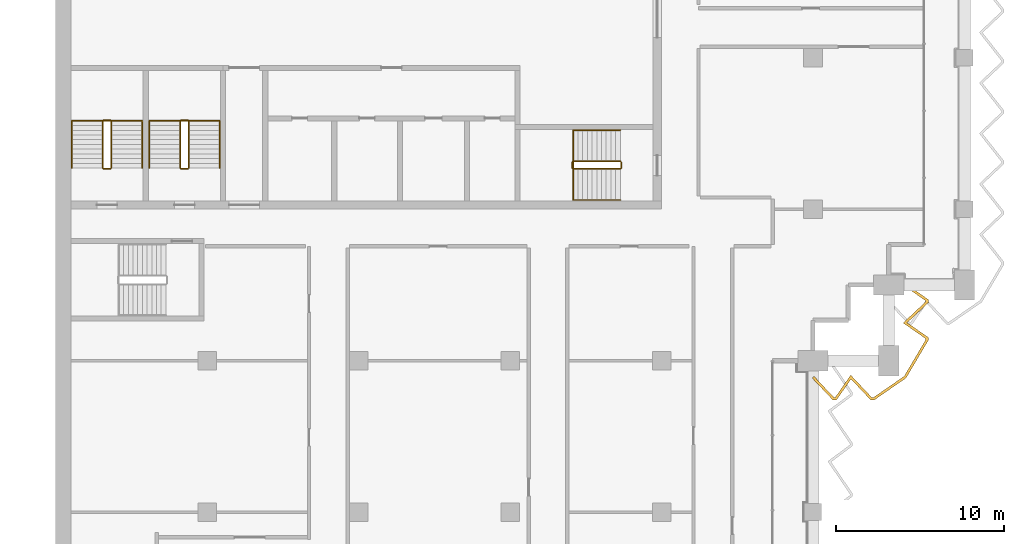
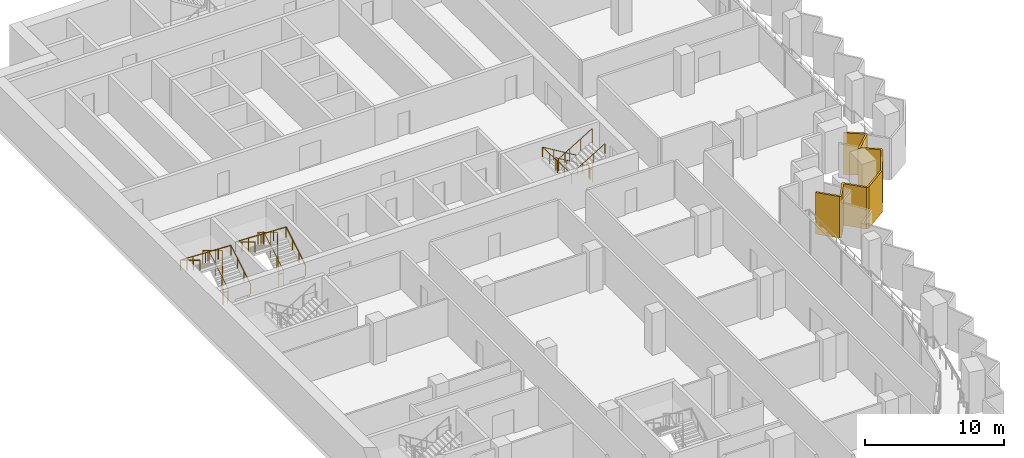
# One storey, part 18 of 19: 6 railings, 1 shading device.
"""IFC4 building model written with IfcOpenShell, lengths in metres."""

from ifc_helpers import new_model, si_unit, direction, frame, origin, origin_2d, place, context, subcontext, project, spatial, polyline, circle, outline, extrude, material, layer, layer_set, type_object, element, save


model = new_model("IFC4")

# Units and contexts
model_context = context("Model", 3, precision=1e-05, world=origin(), true_north=direction((0.0, 1.0)))
body_context = subcontext(model_context, "Body", "Model", "MODEL_VIEW")
ifc_project = project(units=[si_unit("LENGTHUNIT", "METRE"), si_unit("AREAUNIT", "SQUARE_METRE"), si_unit("VOLUMEUNIT", "CUBIC_METRE"), si_unit("PLANEANGLEUNIT", "RADIAN"), si_unit("MASSUNIT", "GRAM", prefix="KILO")], contexts=[model_context])

# Site, building, storey
site_placement = place(None, origin())
site = spatial("IfcSite", under=ifc_project, at=site_placement, CompositionType="ELEMENT")
building_placement = place(site_placement, origin())
building = spatial("IfcBuilding", under=site, at=building_placement, Name="Hunhe Ridgeline Campus", CompositionType="ELEMENT")
storey_placement = place(building_placement, frame((0.0, 0.0, 216.10009765625)))
storey = spatial("IfcBuildingStorey", under=building, at=storey_placement, Name="L55", CompositionType="ELEMENT", Elevation=216.10009765625)

# Shading device
ifc_material_1 = material(Name="Concrete C50", Category="concrete")
ifc_layer = layer(ifc_material_1, 0.14990234375)
ifc_layer_set = layer_set([ifc_layer], Name="Sawtooth concrete fin 150 Concrete C50")
shading_device_type = type_object("IfcShadingDeviceType", Name="Sawtooth concrete fin 150 Concrete C50", PredefinedType="USERDEFINED", material=ifc_layer_set)
shading_device_placement = place(storey_placement, frame((0.0, 0.0, -0.9501953125)))
element("IfcShadingDevice", 1, at=shading_device_placement, inside=storey, type_object=shading_device_type, Name="Concrete fin screen 2", ObjectType="FIN", PredefinedType="USERDEFINED", context=body_context, shape_type="SweptSolid", body=[
    extrude(outline(polyline([(45.054443359375, 53.076416015625), (44.945556640625, 52.9736328125), (46.19384765625, 51.64990234375), (46.38525390625, 51.64990234375), (47.2587890625, 52.90625), (48.44384765625, 51.64990234375), (48.61962890625, 51.64990234375), (50.53125, 52.97265625), (51.85009765625, 55.20556640625), (51.85009765625, 55.38525390625), (50.59375, 56.2587890625), (51.85009765625, 57.44384765625), (51.85009765625, 57.63525390625), (50.517822265625, 58.5615234375), (50.43212890625, 58.4384765625), (51.699951171875, 57.556884765625), (51.699951171875, 57.508544921875), (50.3564453125, 56.2412109375), (51.699951171875, 55.306884765625), (51.699951171875, 55.24658203125), (50.418701171875, 53.077392578125), (48.57275390625, 51.800048828125), (48.508544921875, 51.800048828125), (47.2412109375, 53.1435546875), (46.306884765625, 51.800048828125), (46.258544921875, 51.800048828125), (45.054443359375, 53.076416015625)])), origin(), (0.0, 0.0, 1.0), 3.650146484375),
])

# Railings
ifc_material_2 = material(Name="Stainless steel balustrade", Category="steel")
railing_type_1 = type_object("IfcRailingType", Name="Stair guard 1100 stainless", PredefinedType="GUARDRAIL", material=ifc_material_2)
railing_1_placement = place(storey_placement, frame((33.550048828125, 65.85009765625, 0.16796875)))
element("IfcRailing", 2, at=railing_1_placement, inside=storey, type_object=railing_type_1, Name="L55 stair S2 guard", PredefinedType="GUARDRAIL", context=body_context, shape_type="SweptSolid", body=[
    extrude(circle(Radius=0.02392578125, at=origin_2d()), frame((0.0, 0.0, 1.076171875), z_axis=(-0.857242210791, 0.0, 0.514913383045), x_axis=(0.0, -1.0, 0.0)), (0.0, 0.0, 1.0), 3.266357421875),
    extrude(circle(Radius=0.02392578125, at=origin_2d()), frame((-2.800048828125, 0.0, 2.7578125), z_axis=(-0.707106781187, -0.707106781187, 0.0), x_axis=(0.707106781187, -0.707106781187, 0.0)), (0.0, 0.0, 1.0), 0.07080078125),
    extrude(circle(Radius=0.02392578125, at=origin_2d()), frame((-2.85009765625, -0.050048828125, 2.7578125), z_axis=(0.0, -1.0, 0.0), x_axis=(1.0, 0.0, 0.0)), (0.0, 0.0, 1.0), 0.35009765625),
    extrude(circle(Radius=0.02392578125, at=origin_2d()), frame((-2.85009765625, -0.400146484375, 2.7578125), z_axis=(0.274243871929, -0.274243871929, 0.92172696468), x_axis=(0.707106781187, 0.707106781187, 0.0)), (0.0, 0.0, 1.0), 0.1826171875),
    extrude(circle(Radius=0.02392578125, at=origin_2d()), frame((-2.800048828125, -0.4501953125, 2.92626953125), z_axis=(0.857242210791, 0.0, 0.514913383045), x_axis=(0.0, 1.0, 0.0)), (0.0, 0.0, 1.0), 3.266357421875),
    extrude(circle(Radius=0.02392578125, at=origin_2d()), frame((0.0, -0.4501953125, 4.60791015625), z_axis=(0.013524414389, 0.013524414389, -0.999817073484), x_axis=(-0.707106781187, 0.707106781187, 0.0)), (0.0, 0.0, 1.0), 3.70068359375),
    extrude(circle(Radius=0.02392578125, at=origin_2d()), frame((0.050048828125, -0.400146484375, 0.908203125), z_axis=(0.0, 1.0, 0.0), x_axis=(-1.0, 0.0, 0.0)), (0.0, 0.0, 1.0), 0.35009765625),
    extrude(circle(Radius=0.02099609375, at=origin_2d()), origin(), (0.0, 0.0, 1.0), 1.052001953125),
    extrude(circle(Radius=0.02099609375, at=origin_2d()), frame((-0.933349609375, 0.0, 0.560546875)), (0.0, 0.0, 1.0), 1.052001953125),
    extrude(circle(Radius=0.02099609375, at=origin_2d()), frame((-1.86669921875, 0.0, 1.121337890625)), (0.0, 0.0, 1.0), 1.052001953125),
    extrude(circle(Radius=0.02099609375, at=origin_2d()), frame((-2.800048828125, 0.0, 1.681884765625)), (0.0, 0.0, 1.0), 1.052001953125),
    extrude(circle(Radius=0.02099609375, at=origin_2d()), frame((-2.85009765625, -0.050048828125, 1.681884765625)), (0.0, 0.0, 1.0), 1.052001953125),
    extrude(circle(Radius=0.02099609375, at=origin_2d()), frame((-2.85009765625, -0.400146484375, 1.681884765625)), (0.0, 0.0, 1.0), 1.052001953125),
    extrude(circle(Radius=0.02099609375, at=origin_2d()), frame((-2.800048828125, -0.4501953125, 1.85009765625)), (0.0, 0.0, 1.0), 1.052001953125),
    extrude(circle(Radius=0.02099609375, at=origin_2d()), frame((-1.86669921875, -0.4501953125, 2.41064453125)), (0.0, 0.0, 1.0), 1.052001953125),
    extrude(circle(Radius=0.02099609375, at=origin_2d()), frame((-0.933349609375, -0.4501953125, 2.971435546875)), (0.0, 0.0, 1.0), 1.052001953125),
    extrude(circle(Radius=0.02099609375, at=origin_2d()), frame((0.0, -0.4501953125, 3.531982421875)), (0.0, 0.0, 1.0), 1.052001953125),
    extrude(circle(Radius=0.02099609375, at=origin_2d()), frame((0.012451171875, -0.437744140625, 2.60693359375)), (0.0, 0.0, 1.0), 1.052001953125),
    extrude(circle(Radius=0.02099609375, at=origin_2d()), frame((0.02490234375, -0.42529296875, 1.68212890625)), (0.0, 0.0, 1.0), 1.052001953125),
    extrude(circle(Radius=0.02099609375, at=origin_2d()), frame((0.03759765625, -0.41259765625, 0.757080078125)), (0.0, 0.0, 1.0), 1.052001953125),
    extrude(circle(Radius=0.02099609375, at=origin_2d()), frame((0.050048828125, -0.400146484375, -0.16796875)), (0.0, 0.0, 1.0), 1.052001953125),
    extrude(circle(Radius=0.02099609375, at=origin_2d()), frame((0.050048828125, -0.050048828125, -0.16796875)), (0.0, 0.0, 1.0), 1.052001953125),
])
railing_2_placement = place(storey_placement, frame((3.300048828125, 65.449951171875, 0.16796875)))
element("IfcRailing", 3, at=railing_2_placement, inside=storey, type_object=railing_type_1, Name="L55 stair S3 guard", PredefinedType="GUARDRAIL", context=body_context, shape_type="SweptSolid", body=[
    extrude(circle(Radius=0.02392578125, at=origin_2d()), frame((0.0, 0.0, 1.076171875), z_axis=(0.0, 0.857242210791, 0.514913383045), x_axis=(-1.0, 0.0, 0.0)), (0.0, 0.0, 1.0), 3.266357421875),
    extrude(circle(Radius=0.02392578125, at=origin_2d()), frame((0.0, 2.800048828125, 2.7578125), z_axis=(-0.707106781187, 0.707106781187, 0.0), x_axis=(-0.707106781187, -0.707106781187, 0.0)), (0.0, 0.0, 1.0), 0.07080078125),
    extrude(circle(Radius=0.02392578125, at=origin_2d()), frame((-0.050048828125, 2.85009765625, 2.7578125), z_axis=(-1.0, 0.0, 0.0), x_axis=(0.0, -1.0, 0.0)), (0.0, 0.0, 1.0), 0.39990234375),
    extrude(circle(Radius=0.02392578125, at=origin_2d()), frame((-0.449951171875, 2.85009765625, 2.7578125), z_axis=(-0.274243871929, -0.274243871929, 0.92172696468), x_axis=(0.707106781187, -0.707106781187, 0.0)), (0.0, 0.0, 1.0), 0.1826171875),
    extrude(circle(Radius=0.02392578125, at=origin_2d()), frame((-0.5, 2.800048828125, 2.92626953125), z_axis=(0.0, -0.857242210791, 0.514913383045), x_axis=(1.0, 0.0, 0.0)), (0.0, 0.0, 1.0), 3.266357421875),
    extrude(circle(Radius=0.02392578125, at=origin_2d()), frame((-0.5, 0.0, 4.60791015625), z_axis=(0.013524414389, -0.013524414389, -0.999817073484), x_axis=(0.707106781187, 0.707106781187, 0.0)), (0.0, 0.0, 1.0), 3.70068359375),
    extrude(circle(Radius=0.02392578125, at=origin_2d()), frame((-0.449951171875, -0.050048828125, 0.908203125), z_axis=(1.0, 0.0, 0.0), x_axis=(0.0, 1.0, 0.0)), (0.0, 0.0, 1.0), 0.39990234375),
    extrude(circle(Radius=0.02099609375, at=origin_2d()), origin(), (0.0, 0.0, 1.0), 1.052001953125),
    extrude(circle(Radius=0.02099609375, at=origin_2d()), frame((0.0, 0.933349609375, 0.560546875)), (0.0, 0.0, 1.0), 1.052001953125),
    extrude(circle(Radius=0.02099609375, at=origin_2d()), frame((0.0, 1.86669921875, 1.121337890625)), (0.0, 0.0, 1.0), 1.052001953125),
    extrude(circle(Radius=0.02099609375, at=origin_2d()), frame((0.0, 2.800048828125, 1.681884765625)), (0.0, 0.0, 1.0), 1.052001953125),
    extrude(circle(Radius=0.02099609375, at=origin_2d()), frame((-0.050048828125, 2.85009765625, 1.681884765625)), (0.0, 0.0, 1.0), 1.052001953125),
    extrude(circle(Radius=0.02099609375, at=origin_2d()), frame((-0.449951171875, 2.85009765625, 1.681884765625)), (0.0, 0.0, 1.0), 1.052001953125),
    extrude(circle(Radius=0.02099609375, at=origin_2d()), frame((-0.5, 2.800048828125, 1.85009765625)), (0.0, 0.0, 1.0), 1.052001953125),
    extrude(circle(Radius=0.02099609375, at=origin_2d()), frame((-0.5, 1.86669921875, 2.41064453125)), (0.0, 0.0, 1.0), 1.052001953125),
    extrude(circle(Radius=0.02099609375, at=origin_2d()), frame((-0.5, 0.933349609375, 2.971435546875)), (0.0, 0.0, 1.0), 1.052001953125),
    extrude(circle(Radius=0.02099609375, at=origin_2d()), frame((-0.5, 0.0, 3.531982421875)), (0.0, 0.0, 1.0), 1.052001953125),
    extrude(circle(Radius=0.02099609375, at=origin_2d()), frame((-0.487548828125, -0.012451171875, 2.60693359375)), (0.0, 0.0, 1.0), 1.052001953125),
    extrude(circle(Radius=0.02099609375, at=origin_2d()), frame((-0.47509765625, -0.02490234375, 1.68212890625)), (0.0, 0.0, 1.0), 1.052001953125),
    extrude(circle(Radius=0.02099609375, at=origin_2d()), frame((-0.46240234375, -0.03759765625, 0.757080078125)), (0.0, 0.0, 1.0), 1.052001953125),
    extrude(circle(Radius=0.02099609375, at=origin_2d()), frame((-0.449951171875, -0.050048828125, -0.16796875)), (0.0, 0.0, 1.0), 1.052001953125),
    extrude(circle(Radius=0.02099609375, at=origin_2d()), frame((-0.050048828125, -0.050048828125, -0.16796875)), (0.0, 0.0, 1.0), 1.052001953125),
])
railing_3_placement = place(storey_placement, frame((7.89990234375, 65.449951171875, 0.16796875)))
element("IfcRailing", 4, at=railing_3_placement, inside=storey, type_object=railing_type_1, Name="L55 stair S4 guard", PredefinedType="GUARDRAIL", context=body_context, shape_type="SweptSolid", body=[
    extrude(circle(Radius=0.02392578125, at=origin_2d()), frame((0.0, 0.0, 1.076171875), z_axis=(0.0, 0.857242210791, 0.514913383045), x_axis=(-1.0, 0.0, 0.0)), (0.0, 0.0, 1.0), 3.266357421875),
    extrude(circle(Radius=0.02392578125, at=origin_2d()), frame((0.0, 2.800048828125, 2.7578125), z_axis=(-0.705375805398, 0.708833529934, 0.0), x_axis=(-0.708833529934, -0.705375805398, 0.0)), (0.0, 0.0, 1.0), 0.070556640625),
    extrude(circle(Radius=0.02392578125, at=origin_2d()), frame((-0.0498046875, 2.85009765625, 2.7578125), z_axis=(-1.0, 0.0, 0.0), x_axis=(0.0, -1.0, 0.0)), (0.0, 0.0, 1.0), 0.400146484375),
    extrude(circle(Radius=0.02392578125, at=origin_2d()), frame((-0.449951171875, 2.85009765625, 2.7578125), z_axis=(-0.274243871929, -0.274243871929, 0.92172696468), x_axis=(0.707106781187, -0.707106781187, 0.0)), (0.0, 0.0, 1.0), 0.1826171875),
    extrude(circle(Radius=0.02392578125, at=origin_2d()), frame((-0.5, 2.800048828125, 2.92626953125), z_axis=(0.0, -0.857242210791, 0.514913383045), x_axis=(1.0, 0.0, 0.0)), (0.0, 0.0, 1.0), 3.266357421875),
    extrude(circle(Radius=0.02392578125, at=origin_2d()), frame((-0.5, 0.0, 4.60791015625), z_axis=(0.013524414389, -0.013524414389, -0.999817073484), x_axis=(0.707106781187, 0.707106781187, 0.0)), (0.0, 0.0, 1.0), 3.70068359375),
    extrude(circle(Radius=0.02392578125, at=origin_2d()), frame((-0.449951171875, -0.050048828125, 0.908203125), z_axis=(1.0, 0.0, 0.0), x_axis=(0.0, 1.0, 0.0)), (0.0, 0.0, 1.0), 0.400146484375),
    extrude(circle(Radius=0.02099609375, at=origin_2d()), origin(), (0.0, 0.0, 1.0), 1.052001953125),
    extrude(circle(Radius=0.02099609375, at=origin_2d()), frame((0.0, 0.933349609375, 0.560546875)), (0.0, 0.0, 1.0), 1.052001953125),
    extrude(circle(Radius=0.02099609375, at=origin_2d()), frame((0.0, 1.86669921875, 1.121337890625)), (0.0, 0.0, 1.0), 1.052001953125),
    extrude(circle(Radius=0.02099609375, at=origin_2d()), frame((0.0, 2.800048828125, 1.681884765625)), (0.0, 0.0, 1.0), 1.052001953125),
    extrude(circle(Radius=0.02099609375, at=origin_2d()), frame((-0.0498046875, 2.85009765625, 1.681884765625)), (0.0, 0.0, 1.0), 1.052001953125),
    extrude(circle(Radius=0.02099609375, at=origin_2d()), frame((-0.449951171875, 2.85009765625, 1.681884765625)), (0.0, 0.0, 1.0), 1.052001953125),
    extrude(circle(Radius=0.02099609375, at=origin_2d()), frame((-0.5, 2.800048828125, 1.85009765625)), (0.0, 0.0, 1.0), 1.052001953125),
    extrude(circle(Radius=0.02099609375, at=origin_2d()), frame((-0.5, 1.86669921875, 2.41064453125)), (0.0, 0.0, 1.0), 1.052001953125),
    extrude(circle(Radius=0.02099609375, at=origin_2d()), frame((-0.5, 0.933349609375, 2.971435546875)), (0.0, 0.0, 1.0), 1.052001953125),
    extrude(circle(Radius=0.02099609375, at=origin_2d()), frame((-0.5, 0.0, 3.531982421875)), (0.0, 0.0, 1.0), 1.052001953125),
    extrude(circle(Radius=0.02099609375, at=origin_2d()), frame((-0.487548828125, -0.012451171875, 2.60693359375)), (0.0, 0.0, 1.0), 1.052001953125),
    extrude(circle(Radius=0.02099609375, at=origin_2d()), frame((-0.47509765625, -0.02490234375, 1.68212890625)), (0.0, 0.0, 1.0), 1.052001953125),
    extrude(circle(Radius=0.02099609375, at=origin_2d()), frame((-0.46240234375, -0.03759765625, 0.757080078125)), (0.0, 0.0, 1.0), 1.052001953125),
    extrude(circle(Radius=0.02099609375, at=origin_2d()), frame((-0.449951171875, -0.050048828125, -0.16796875)), (0.0, 0.0, 1.0), 1.052001953125),
    extrude(circle(Radius=0.02099609375, at=origin_2d()), frame((-0.0498046875, -0.050048828125, -0.16796875)), (0.0, 0.0, 1.0), 1.052001953125),
])
ifc_material_3 = material(Name="Stainless steel handrail", Category="steel")
railing_type_2 = type_object("IfcRailingType", Name="Stair handrail 900 stainless", PredefinedType="HANDRAIL", material=ifc_material_3)
railing_4_placement = place(storey_placement, frame((33.550048828125, 67.699951171875, 0.16796875)))
element("IfcRailing", 5, at=railing_4_placement, inside=storey, type_object=railing_type_2, Name="L55 stair S2 handrail", PredefinedType="HANDRAIL", context=body_context, shape_type="SweptSolid", body=[
    extrude(circle(Radius=0.02392578125, at=origin_2d()), frame((0.0, 0.0, 0.8759765625), z_axis=(-0.857242210791, 0.0, 0.514913383045), x_axis=(0.0, -1.0, 0.0)), (0.0, 0.0, 1.0), 3.266357421875),
    extrude(circle(Radius=0.02392578125, at=origin_2d()), frame((-2.800048828125, 0.0, 2.5576171875), z_axis=(0.0, -0.99917950104, 0.040500922239), x_axis=(1.0, 0.0, 0.0)), (0.0, 0.0, 1.0), 4.1533203125),
    extrude(circle(Radius=0.02392578125, at=origin_2d()), frame((-2.800048828125, -4.14990234375, 2.72607421875), z_axis=(0.857242210791, 0.0, 0.514913383045), x_axis=(0.0, 1.0, 0.0)), (0.0, 0.0, 1.0), 3.266357421875),
    extrude(circle(Radius=0.02099609375, at=origin_2d()), origin(), (0.0, 0.0, 1.0), 0.851806640625),
    extrude(circle(Radius=0.02099609375, at=origin_2d()), frame((-0.933349609375, 0.0, 0.560546875)), (0.0, 0.0, 1.0), 0.851806640625),
    extrude(circle(Radius=0.02099609375, at=origin_2d()), frame((-1.86669921875, 0.0, 1.121337890625)), (0.0, 0.0, 1.0), 0.851806640625),
    extrude(circle(Radius=0.02099609375, at=origin_2d()), frame((-2.800048828125, 0.0, 1.681884765625)), (0.0, 0.0, 1.0), 0.851806640625),
    extrude(circle(Radius=0.02099609375, at=origin_2d()), frame((-2.800048828125, -1.03759765625, 1.723876953125)), (0.0, 0.0, 1.0), 0.851806640625),
    extrude(circle(Radius=0.02099609375, at=origin_2d()), frame((-2.800048828125, -2.074951171875, 1.76611328125)), (0.0, 0.0, 1.0), 0.851806640625),
    extrude(circle(Radius=0.02099609375, at=origin_2d()), frame((-2.800048828125, -3.1123046875, 1.80810546875)), (0.0, 0.0, 1.0), 0.851806640625),
    extrude(circle(Radius=0.02099609375, at=origin_2d()), frame((-2.800048828125, -4.14990234375, 1.85009765625)), (0.0, 0.0, 1.0), 0.851806640625),
    extrude(circle(Radius=0.02099609375, at=origin_2d()), frame((-1.86669921875, -4.14990234375, 2.41064453125)), (0.0, 0.0, 1.0), 0.851806640625),
    extrude(circle(Radius=0.02099609375, at=origin_2d()), frame((-0.933349609375, -4.14990234375, 2.971435546875)), (0.0, 0.0, 1.0), 0.851806640625),
    extrude(circle(Radius=0.02099609375, at=origin_2d()), frame((0.0, -4.14990234375, 3.531982421875)), (0.0, 0.0, 1.0), 0.851806640625),
])
railing_5_placement = place(storey_placement, frame((5.14990234375, 65.449951171875, 0.16796875)))
element("IfcRailing", 6, at=railing_5_placement, inside=storey, type_object=railing_type_2, Name="L55 stair S3 handrail", PredefinedType="HANDRAIL", context=body_context, shape_type="SweptSolid", body=[
    extrude(circle(Radius=0.02392578125, at=origin_2d()), frame((0.0, 0.0, 0.8759765625), z_axis=(0.0, 0.857242210791, 0.514913383045), x_axis=(-1.0, 0.0, 0.0)), (0.0, 0.0, 1.0), 3.266357421875),
    extrude(circle(Radius=0.02392578125, at=origin_2d()), frame((0.0, 2.800048828125, 2.5576171875), z_axis=(-0.999198916169, 0.0, 0.040019069537), x_axis=(0.0, -1.0, 0.0)), (0.0, 0.0, 1.0), 4.203369140625),
    extrude(circle(Radius=0.02392578125, at=origin_2d()), frame((-4.199951171875, 2.800048828125, 2.72607421875), z_axis=(0.0, -0.857242210791, 0.514913383045), x_axis=(1.0, 0.0, 0.0)), (0.0, 0.0, 1.0), 3.266357421875),
    extrude(circle(Radius=0.02099609375, at=origin_2d()), origin(), (0.0, 0.0, 1.0), 0.851806640625),
    extrude(circle(Radius=0.02099609375, at=origin_2d()), frame((0.0, 0.933349609375, 0.560546875)), (0.0, 0.0, 1.0), 0.851806640625),
    extrude(circle(Radius=0.02099609375, at=origin_2d()), frame((0.0, 1.86669921875, 1.121337890625)), (0.0, 0.0, 1.0), 0.851806640625),
    extrude(circle(Radius=0.02099609375, at=origin_2d()), frame((0.0, 2.800048828125, 1.681884765625)), (0.0, 0.0, 1.0), 0.851806640625),
    extrude(circle(Radius=0.02099609375, at=origin_2d()), frame((-1.050048828125, 2.800048828125, 1.723876953125)), (0.0, 0.0, 1.0), 0.851806640625),
    extrude(circle(Radius=0.02099609375, at=origin_2d()), frame((-2.10009765625, 2.800048828125, 1.76611328125)), (0.0, 0.0, 1.0), 0.851806640625),
    extrude(circle(Radius=0.02099609375, at=origin_2d()), frame((-3.14990234375, 2.800048828125, 1.80810546875)), (0.0, 0.0, 1.0), 0.851806640625),
    extrude(circle(Radius=0.02099609375, at=origin_2d()), frame((-4.199951171875, 2.800048828125, 1.85009765625)), (0.0, 0.0, 1.0), 0.851806640625),
    extrude(circle(Radius=0.02099609375, at=origin_2d()), frame((-4.199951171875, 1.86669921875, 2.41064453125)), (0.0, 0.0, 1.0), 0.851806640625),
    extrude(circle(Radius=0.02099609375, at=origin_2d()), frame((-4.199951171875, 0.933349609375, 2.971435546875)), (0.0, 0.0, 1.0), 0.851806640625),
    extrude(circle(Radius=0.02099609375, at=origin_2d()), frame((-4.199951171875, 0.0, 3.531982421875)), (0.0, 0.0, 1.0), 0.851806640625),
])
railing_6_placement = place(storey_placement, frame((9.75, 65.449951171875, 0.16796875)))
element("IfcRailing", 7, at=railing_6_placement, inside=storey, type_object=railing_type_2, Name="L55 stair S4 handrail", PredefinedType="HANDRAIL", context=body_context, shape_type="SweptSolid", body=[
    extrude(circle(Radius=0.02392578125, at=origin_2d()), frame((0.0, 0.0, 0.8759765625), z_axis=(0.0, 0.857242210791, 0.514913383045), x_axis=(-1.0, 0.0, 0.0)), (0.0, 0.0, 1.0), 3.266357421875),
    extrude(circle(Radius=0.02392578125, at=origin_2d()), frame((0.0, 2.800048828125, 2.5576171875), z_axis=(-0.999198916169, 0.0, 0.040019069537), x_axis=(0.0, -1.0, 0.0)), (0.0, 0.0, 1.0), 4.203369140625),
    extrude(circle(Radius=0.02392578125, at=origin_2d()), frame((-4.199951171875, 2.800048828125, 2.72607421875), z_axis=(0.0, -0.857242210791, 0.514913383045), x_axis=(1.0, 0.0, 0.0)), (0.0, 0.0, 1.0), 3.266357421875),
    extrude(circle(Radius=0.02099609375, at=origin_2d()), origin(), (0.0, 0.0, 1.0), 0.851806640625),
    extrude(circle(Radius=0.02099609375, at=origin_2d()), frame((0.0, 0.933349609375, 0.560546875)), (0.0, 0.0, 1.0), 0.851806640625),
    extrude(circle(Radius=0.02099609375, at=origin_2d()), frame((0.0, 1.86669921875, 1.121337890625)), (0.0, 0.0, 1.0), 0.851806640625),
    extrude(circle(Radius=0.02099609375, at=origin_2d()), frame((0.0, 2.800048828125, 1.681884765625)), (0.0, 0.0, 1.0), 0.851806640625),
    extrude(circle(Radius=0.02099609375, at=origin_2d()), frame((-1.050048828125, 2.800048828125, 1.723876953125)), (0.0, 0.0, 1.0), 0.851806640625),
    extrude(circle(Radius=0.02099609375, at=origin_2d()), frame((-2.10009765625, 2.800048828125, 1.76611328125)), (0.0, 0.0, 1.0), 0.851806640625),
    extrude(circle(Radius=0.02099609375, at=origin_2d()), frame((-3.14990234375, 2.800048828125, 1.80810546875)), (0.0, 0.0, 1.0), 0.851806640625),
    extrude(circle(Radius=0.02099609375, at=origin_2d()), frame((-4.199951171875, 2.800048828125, 1.85009765625)), (0.0, 0.0, 1.0), 0.851806640625),
    extrude(circle(Radius=0.02099609375, at=origin_2d()), frame((-4.199951171875, 1.86669921875, 2.41064453125)), (0.0, 0.0, 1.0), 0.851806640625),
    extrude(circle(Radius=0.02099609375, at=origin_2d()), frame((-4.199951171875, 0.933349609375, 2.971435546875)), (0.0, 0.0, 1.0), 0.851806640625),
    extrude(circle(Radius=0.02099609375, at=origin_2d()), frame((-4.199951171875, 0.0, 3.531982421875)), (0.0, 0.0, 1.0), 0.851806640625),
])

save(model, "model.ifc")
